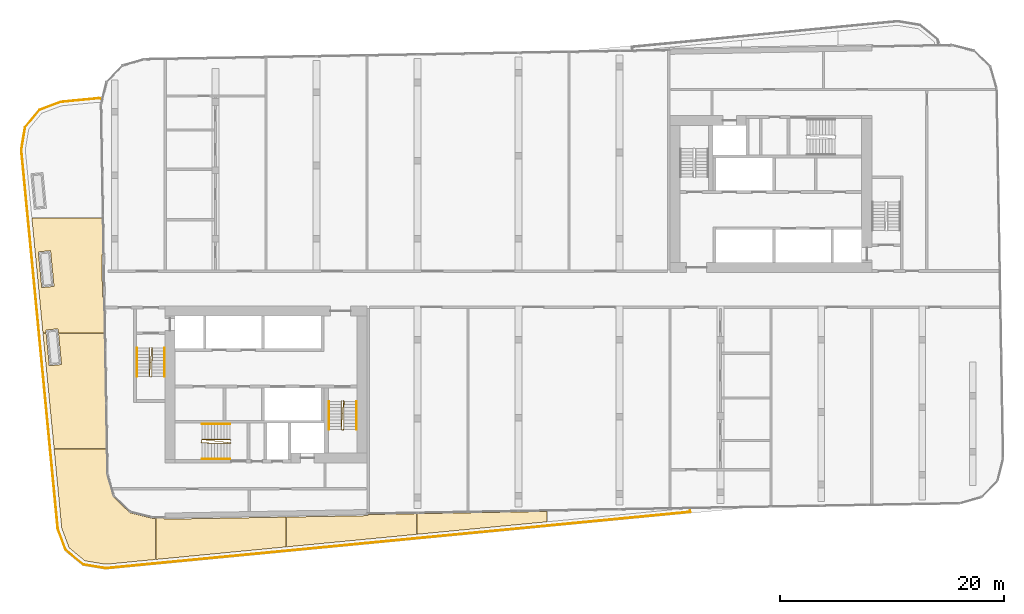
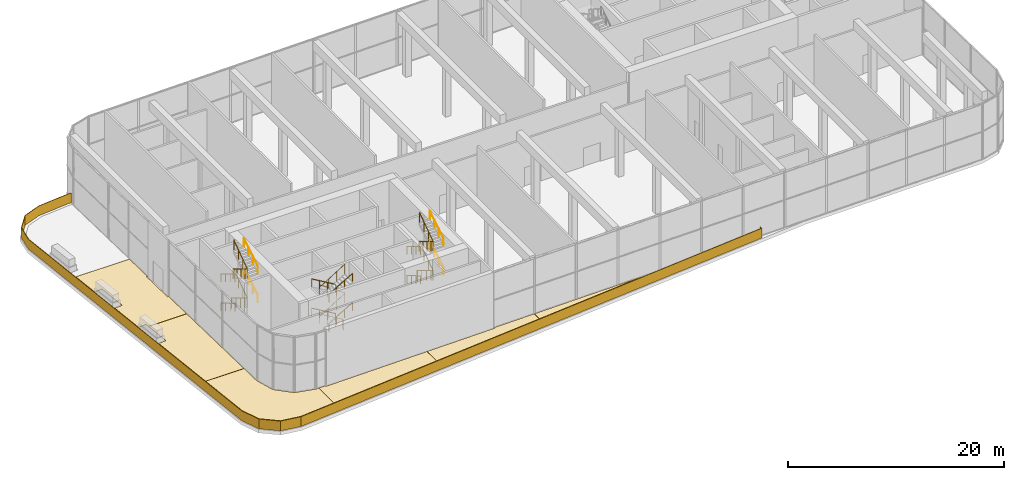
# One storey, part 22 of 24: 17 railings, 6 coverings.
"""IFC4 building model written with IfcOpenShell, lengths in metres."""

from ifc_helpers import new_model, si_unit, direction, frame, origin, origin_2d, place, context, subcontext, project, spatial, polyline, circle, outline, extrude, material, layer, layer_set, type_object, element, save


model = new_model("IFC4")

# Units and contexts
model_context = context("Model", 3, precision=1e-05, world=origin(), true_north=direction((0.0, 1.0)))
body_context = subcontext(model_context, "Body", "Model", "MODEL_VIEW")
ifc_project = project(units=[si_unit("LENGTHUNIT", "METRE"), si_unit("AREAUNIT", "SQUARE_METRE"), si_unit("VOLUMEUNIT", "CUBIC_METRE"), si_unit("PLANEANGLEUNIT", "RADIAN"), si_unit("MASSUNIT", "GRAM", prefix="KILO")], contexts=[model_context])

# Site, building, storey
site_placement = place(None, origin())
site = spatial("IfcSite", under=ifc_project, at=site_placement, CompositionType="ELEMENT")
building_placement = place(site_placement, origin())
building = spatial("IfcBuilding", under=site, at=building_placement, Name="Kajstack Hotel Tower", CompositionType="ELEMENT")
storey_placement = place(building_placement, frame((0.0, 0.0, 211.10009765625)))
storey = spatial("IfcBuildingStorey", under=building, at=storey_placement, Name="L51", CompositionType="ELEMENT", Elevation=211.10009765625)

# Railings
ifc_material_1 = material(Name="Steel S355J2", Category="steel")
railing_type_1 = type_object("IfcRailingType", Name="BALUSTRADE-TERRACE", PredefinedType="BALUSTRADE", material=ifc_material_1)
railing_1_placement = place(storey_placement, frame((-36.810302734375, -24.87646484375, 0.0)))
element("IfcRailing", 1, at=railing_1_placement, inside=storey, type_object=railing_type_1, Name="Terrace guard L51-01-01", PredefinedType="BALUSTRADE", context=body_context, shape_type="SweptSolid", body=[
    extrude(outline(polyline([(-2.008056640625, 0.305419921875), (-3.568359375, 1.591796875), (-4.281005859375, 3.49755859375), (-7.537353515625, 37.3173828125), (-7.20166015625, 39.32421875), (-5.915283203125, 40.884765625), (-4.009521484375, 41.59716796875), (-0.61865234375, 41.92333984375), (-0.3515625, 41.85693359375), (-0.3662109375, 41.798828125), (-0.623046875, 41.86279296875), (-3.995849609375, 41.5380859375), (-5.879150390625, 40.833984375), (-7.14501953125, 39.29833984375), (-7.476806640625, 37.3154296875), (-4.221923828125, 3.51123046875), (-3.517578125, 1.6279296875), (-1.982177734375, 0.362060546875), (0.0048828125, 0.029541015625), (-0.0048828125, -0.029541015625), (-2.008056640625, 0.305419921875)])), origin(), (0.0, 0.0, 1.0), 1.10009765625),
])
railing_2_placement = place(storey_placement, frame((15.30078125, -19.58837890625, 0.0)))
element("IfcRailing", 2, at=railing_2_placement, inside=storey, type_object=railing_type_1, Name="Terrace guard L51-01-02", PredefinedType="BALUSTRADE", context=body_context, shape_type="SweptSolid", body=[
    extrude(outline(polyline([(0.03515625, -0.29736328125), (-52.108154296875, -5.31787109375), (-52.114013671875, -5.25830078125), (-0.02587890625, -0.24267578125), (-0.030029296875, -0.00048828125), (0.030029296875, 0.00048828125), (0.03515625, -0.29736328125)])), origin(), (0.0, 0.0, 1.0), 1.10009765625),
])

# Coverings
ifc_material_2 = material(Name="Timber larch", Category="wood")
ifc_layer = layer(ifc_material_2, 0.050048828125)
ifc_layer_set = layer_set([ifc_layer], Name="DECK-LARCH")
covering_type = type_object("IfcCoveringType", Name="DECK-LARCH", PredefinedType="FLOORING", material=ifc_layer_set)
covering_1_placement = place(storey_placement, origin())
element("IfcCovering", 3, at=covering_1_placement, inside=storey, type_object=covering_type, Name="Larch decking L51-01-01", PredefinedType="FLOORING", context=body_context, shape_type="SweptSolid", body=[
    extrude(outline(polyline([(-36.745361328125, -14.237060546875), (-41.39697265625, -14.237060546875), (-40.7177734375, -21.292724609375), (-40.058349609375, -23.056396484375), (-38.655029296875, -24.213134765625), (-36.85791015625, -24.513671875), (-36.6943359375, -24.513671875), (-32.343994140625, -24.0947265625), (-32.343994140625, -20.420166015625), (-32.63671875, -20.42529296875), (-34.64599609375, -19.92431640625), (-36.13525390625, -18.486083984375), (-36.7060546875, -16.49560546875), (-36.745361328125, -14.237060546875)])), origin(), (0.0, 0.0, 1.0), 0.0498046875),
])
covering_2_placement = place(storey_placement, origin())
element("IfcCovering", 4, at=covering_2_placement, inside=storey, type_object=covering_type, Name="Larch decking L51-01-02", PredefinedType="FLOORING", context=body_context, shape_type="SweptSolid", body=[
    extrude(outline(polyline([(-36.92529296875, -3.940673828125), (-41.002197265625, -3.940673828125), (-40.734619140625, -6.718017578125), (-41.82958984375, -6.823486328125), (-42.107177734375, -3.940673828125), (-42.388427734375, -3.940673828125), (-41.39892578125, -14.217041015625), (-36.745849609375, -14.217041015625), (-36.92529296875, -3.940673828125)])), origin(), (0.0, 0.0, 1.0), 0.0498046875),
])
covering_3_placement = place(storey_placement, origin())
element("IfcCovering", 5, at=covering_3_placement, inside=storey, type_object=covering_type, Name="Larch decking L51-01-03", PredefinedType="FLOORING", context=body_context, shape_type="SweptSolid", body=[
    extrude(outline(polyline([(-37.048095703125, 3.099609375), (-37.10498046875, 6.35595703125), (-43.3798828125, 6.35595703125), (-42.390380859375, -3.920654296875), (-42.109130859375, -3.920654296875), (-42.13623046875, -3.63818359375), (-41.04150390625, -3.53271484375), (-41.004150390625, -3.920654296875), (-36.925537109375, -3.920654296875), (-36.981689453125, -0.69970703125), (-37.08154296875, -0.701416015625), (-37.14794921875, 3.097900390625), (-37.048095703125, 3.099609375)]), holes=[polyline([(-42.80712890625, 3.32958984375), (-41.71240234375, 3.43505859375), (-41.405517578125, 0.25), (-42.50048828125, 0.14453125), (-42.80712890625, 3.32958984375)])]), origin(), (0.0, 0.0, 1.0), 0.0498046875),
])
covering_4_placement = place(storey_placement, origin())
element("IfcCovering", 6, at=covering_4_placement, inside=storey, type_object=covering_type, Name="Larch decking L51-01-05", PredefinedType="FLOORING", context=body_context, shape_type="SweptSolid", body=[
    extrude(outline(polyline([(-32.323974609375, -20.419921875), (-32.323974609375, -24.093017578125), (-20.713623046875, -22.974853515625), (-20.713623046875, -20.317138671875), (-31.59814453125, -20.507080078125), (-31.599853515625, -20.4072265625), (-32.323974609375, -20.419921875)])), origin(), (0.0, 0.0, 1.0), 0.0498046875),
])
covering_5_placement = place(storey_placement, origin())
element("IfcCovering", 7, at=covering_5_placement, inside=storey, type_object=covering_type, Name="Larch decking L51-01-06", PredefinedType="FLOORING", context=body_context, shape_type="SweptSolid", body=[
    extrude(outline(polyline([(-20.693603515625, -20.316650390625), (-20.693603515625, -22.97314453125), (-9.083251953125, -21.85498046875), (-9.083251953125, -20.01416015625), (-13.400146484375, -20.089599609375), (-13.398193359375, -20.189453125), (-20.693603515625, -20.316650390625)])), origin(), (0.0, 0.0, 1.0), 0.0498046875),
])
covering_6_placement = place(storey_placement, origin())
element("IfcCovering", 8, at=covering_6_placement, inside=storey, type_object=covering_type, Name="Larch decking L51-01-07", PredefinedType="FLOORING", context=body_context, shape_type="SweptSolid", body=[
    extrude(outline(polyline([(-9.063232421875, -20.013916015625), (-9.063232421875, -21.853271484375), (2.54736328125, -20.7353515625), (2.54736328125, -19.811279296875), (-9.063232421875, -20.013916015625)])), origin(), (0.0, 0.0, 1.0), 0.0498046875),
])

# Railings
railing_type_2 = type_object("IfcRailingType", Name="Stair guard 1100", PredefinedType="GUARDRAIL", material=ifc_material_1)
railing_3_placement = place(storey_placement, frame((-32.85009765625, -5.199951171875, 0.0)))
element("IfcRailing", 9, at=railing_3_placement, inside=storey, type_object=railing_type_2, Name="L51 W1 stair guard 1", PredefinedType="GUARDRAIL", context=body_context, shape_type="SweptSolid", body=[
    extrude(circle(Radius=0.02392578125, at=origin_2d()), frame((0.0, 0.0, 1.076171875), z_axis=(-0.277797701265, -0.279159454702, 0.919183570361), x_axis=(0.708833529934, -0.705375805398, 0.0)), (0.0, 0.0, 1.0), 0.17919921875),
    extrude(circle(Radius=0.02392578125, at=origin_2d()), frame((-0.0498046875, -0.050048828125, 1.24072265625), z_axis=(0.0, -0.86152411907, 0.507716645641), x_axis=(1.0, 0.0, 0.0)), (0.0, 0.0, 1.0), 2.925048828125),
    extrude(circle(Radius=0.02392578125, at=origin_2d()), frame((-0.0498046875, -2.570068359375, 2.72607421875), z_axis=(0.970072785993, -0.242814311512, 0.0), x_axis=(0.242814311512, 0.970072785993, 0.0)), (0.0, 0.0, 1.0), 0.2060546875),
    extrude(circle(Radius=0.02392578125, at=origin_2d()), frame((0.150146484375, -2.6201171875, 2.72607421875), z_axis=(0.016385308676, 0.841405582595, 0.540155687962), x_axis=(-0.999810440751, 0.019470042781, 0.0)), (0.0, 0.0, 1.0), 3.054443359375),
    extrude(circle(Radius=0.02392578125, at=origin_2d()), frame((0.2001953125, -0.050048828125, 4.3759765625), z_axis=(-0.707106781187, 0.707106781187, 0.0), x_axis=(-0.707106781187, -0.707106781187, 0.0)), (0.0, 0.0, 1.0), 0.07080078125),
    extrude(circle(Radius=0.02392578125, at=origin_2d()), frame((0.150146484375, 0.0, 4.3759765625), z_axis=(-0.065327422454, -0.839684708398, 0.53913070619), x_axis=(0.996987254287, -0.077565551559, 0.0)), (0.0, 0.0, 1.0), 3.060791015625),
    extrude(circle(Radius=0.02392578125, at=origin_2d()), frame((-0.0498046875, -2.570068359375, 6.02587890625), z_axis=(0.970072785993, -0.242814311512, 0.0), x_axis=(0.242814311512, 0.970072785993, 0.0)), (0.0, 0.0, 1.0), 0.2060546875),
    extrude(circle(Radius=0.02392578125, at=origin_2d()), frame((0.150146484375, -2.6201171875, 6.02587890625), z_axis=(0.016385308676, 0.841405582595, 0.540155687962), x_axis=(-0.999810440751, 0.019470042781, 0.0)), (0.0, 0.0, 1.0), 3.054443359375),
    extrude(circle(Radius=0.02099609375, at=origin_2d()), origin(), (0.0, 0.0, 1.0), 1.052001953125),
    extrude(circle(Radius=0.02099609375, at=origin_2d()), frame((-0.0498046875, -0.050048828125, 0.164794921875)), (0.0, 0.0, 1.0), 1.052001953125),
    extrude(circle(Radius=0.02099609375, at=origin_2d()), frame((-0.0498046875, -0.89013671875, 0.659912109375)), (0.0, 0.0, 1.0), 1.052001953125),
    extrude(circle(Radius=0.02099609375, at=origin_2d()), frame((-0.0498046875, -1.72998046875, 1.15478515625)), (0.0, 0.0, 1.0), 1.052001953125),
    extrude(circle(Radius=0.02099609375, at=origin_2d()), frame((-0.0498046875, -2.570068359375, 1.64990234375)), (0.0, 0.0, 1.0), 1.052001953125),
    extrude(circle(Radius=0.02099609375, at=origin_2d()), frame((0.150146484375, -2.6201171875, 1.64990234375)), (0.0, 0.0, 1.0), 1.052001953125),
    extrude(circle(Radius=0.02099609375, at=origin_2d()), frame((0.166748046875, -1.763427734375, 2.199951171875)), (0.0, 0.0, 1.0), 1.052001953125),
    extrude(circle(Radius=0.02099609375, at=origin_2d()), frame((0.18359375, -0.90673828125, 2.749755859375)), (0.0, 0.0, 1.0), 1.052001953125),
    extrude(circle(Radius=0.02099609375, at=origin_2d()), frame((0.2001953125, -0.050048828125, 3.2998046875)), (0.0, 0.0, 1.0), 1.052001953125),
    extrude(circle(Radius=0.02099609375, at=origin_2d()), frame((0.150146484375, 0.0, 3.2998046875)), (0.0, 0.0, 1.0), 1.052001953125),
    extrude(circle(Radius=0.02099609375, at=origin_2d()), frame((0.08349609375, -0.856689453125, 3.849853515625)), (0.0, 0.0, 1.0), 1.052001953125),
    extrude(circle(Radius=0.02099609375, at=origin_2d()), frame((0.016845703125, -1.71337890625, 4.39990234375)), (0.0, 0.0, 1.0), 1.052001953125),
    extrude(circle(Radius=0.02099609375, at=origin_2d()), frame((-0.0498046875, -2.570068359375, 4.949951171875)), (0.0, 0.0, 1.0), 1.052001953125),
    extrude(circle(Radius=0.02099609375, at=origin_2d()), frame((0.150146484375, -2.6201171875, 4.949951171875)), (0.0, 0.0, 1.0), 1.052001953125),
    extrude(circle(Radius=0.02099609375, at=origin_2d()), frame((0.166748046875, -1.763427734375, 5.5)), (0.0, 0.0, 1.0), 1.052001953125),
    extrude(circle(Radius=0.02099609375, at=origin_2d()), frame((0.18359375, -0.90673828125, 6.0498046875)), (0.0, 0.0, 1.0), 1.052001953125),
    extrude(circle(Radius=0.02099609375, at=origin_2d()), frame((0.2001953125, -0.050048828125, 6.599853515625)), (0.0, 0.0, 1.0), 1.052001953125),
])
railing_4_placement = place(storey_placement, frame((-15.75, -9.949951171875, 0.0)))
element("IfcRailing", 10, at=railing_4_placement, inside=storey, type_object=railing_type_2, Name="L51 W2 stair guard 1", PredefinedType="GUARDRAIL", context=body_context, shape_type="SweptSolid", body=[
    extrude(circle(Radius=0.02392578125, at=origin_2d()), frame((0.0, 0.0, 1.076171875), z_axis=(-0.279053652268, -0.279053652268, 0.918835196492), x_axis=(0.707106781187, -0.707106781187, 0.0)), (0.0, 0.0, 1.0), 0.179443359375),
    extrude(circle(Radius=0.02392578125, at=origin_2d()), frame((-0.050048828125, -0.050048828125, 1.24072265625), z_axis=(0.0, -0.86152411907, 0.507716645641), x_axis=(1.0, 0.0, 0.0)), (0.0, 0.0, 1.0), 2.925048828125),
    extrude(circle(Radius=0.02392578125, at=origin_2d()), frame((-0.050048828125, -2.570068359375, 2.72607421875), z_axis=(0.970072785993, -0.242814311512, 0.0), x_axis=(0.242814311512, 0.970072785993, 0.0)), (0.0, 0.0, 1.0), 0.2060546875),
    extrude(circle(Radius=0.02392578125, at=origin_2d()), frame((0.14990234375, -2.6201171875, 2.72607421875), z_axis=(0.016385308676, 0.841405582595, 0.540155687962), x_axis=(-0.999810440751, 0.019470042781, 0.0)), (0.0, 0.0, 1.0), 3.054443359375),
    extrude(circle(Radius=0.02392578125, at=origin_2d()), frame((0.199951171875, -0.050048828125, 4.3759765625), z_axis=(-0.707106781187, 0.707106781187, 0.0), x_axis=(-0.707106781187, -0.707106781187, 0.0)), (0.0, 0.0, 1.0), 0.07080078125),
    extrude(circle(Radius=0.02392578125, at=origin_2d()), frame((0.14990234375, 0.0, 4.3759765625), z_axis=(-0.065327422454, -0.839684708398, 0.53913070619), x_axis=(0.996987254287, -0.077565551559, 0.0)), (0.0, 0.0, 1.0), 3.060791015625),
    extrude(circle(Radius=0.02392578125, at=origin_2d()), frame((-0.050048828125, -2.570068359375, 6.02587890625), z_axis=(0.970072785993, -0.242814311512, 0.0), x_axis=(0.242814311512, 0.970072785993, 0.0)), (0.0, 0.0, 1.0), 0.2060546875),
    extrude(circle(Radius=0.02392578125, at=origin_2d()), frame((0.14990234375, -2.6201171875, 6.02587890625), z_axis=(0.016385308676, 0.841405582595, 0.540155687962), x_axis=(-0.999810440751, 0.019470042781, 0.0)), (0.0, 0.0, 1.0), 3.054443359375),
    extrude(circle(Radius=0.02099609375, at=origin_2d()), origin(), (0.0, 0.0, 1.0), 1.052001953125),
    extrude(circle(Radius=0.02099609375, at=origin_2d()), frame((-0.050048828125, -0.050048828125, 0.164794921875)), (0.0, 0.0, 1.0), 1.052001953125),
    extrude(circle(Radius=0.02099609375, at=origin_2d()), frame((-0.050048828125, -0.89013671875, 0.659912109375)), (0.0, 0.0, 1.0), 1.052001953125),
    extrude(circle(Radius=0.02099609375, at=origin_2d()), frame((-0.050048828125, -1.72998046875, 1.15478515625)), (0.0, 0.0, 1.0), 1.052001953125),
    extrude(circle(Radius=0.02099609375, at=origin_2d()), frame((-0.050048828125, -2.570068359375, 1.64990234375)), (0.0, 0.0, 1.0), 1.052001953125),
    extrude(circle(Radius=0.02099609375, at=origin_2d()), frame((0.14990234375, -2.6201171875, 1.64990234375)), (0.0, 0.0, 1.0), 1.052001953125),
    extrude(circle(Radius=0.02099609375, at=origin_2d()), frame((0.16650390625, -1.763427734375, 2.199951171875)), (0.0, 0.0, 1.0), 1.052001953125),
    extrude(circle(Radius=0.02099609375, at=origin_2d()), frame((0.183349609375, -0.90673828125, 2.749755859375)), (0.0, 0.0, 1.0), 1.052001953125),
    extrude(circle(Radius=0.02099609375, at=origin_2d()), frame((0.199951171875, -0.050048828125, 3.2998046875)), (0.0, 0.0, 1.0), 1.052001953125),
    extrude(circle(Radius=0.02099609375, at=origin_2d()), frame((0.14990234375, 0.0, 3.2998046875)), (0.0, 0.0, 1.0), 1.052001953125),
    extrude(circle(Radius=0.02099609375, at=origin_2d()), frame((0.083251953125, -0.856689453125, 3.849853515625)), (0.0, 0.0, 1.0), 1.052001953125),
    extrude(circle(Radius=0.02099609375, at=origin_2d()), frame((0.0166015625, -1.71337890625, 4.39990234375)), (0.0, 0.0, 1.0), 1.052001953125),
    extrude(circle(Radius=0.02099609375, at=origin_2d()), frame((-0.050048828125, -2.570068359375, 4.949951171875)), (0.0, 0.0, 1.0), 1.052001953125),
    extrude(circle(Radius=0.02099609375, at=origin_2d()), frame((0.14990234375, -2.6201171875, 4.949951171875)), (0.0, 0.0, 1.0), 1.052001953125),
    extrude(circle(Radius=0.02099609375, at=origin_2d()), frame((0.16650390625, -1.763427734375, 5.5)), (0.0, 0.0, 1.0), 1.052001953125),
    extrude(circle(Radius=0.02099609375, at=origin_2d()), frame((0.183349609375, -0.90673828125, 6.0498046875)), (0.0, 0.0, 1.0), 1.052001953125),
    extrude(circle(Radius=0.02099609375, at=origin_2d()), frame((0.199951171875, -0.050048828125, 6.599853515625)), (0.0, 0.0, 1.0), 1.052001953125),
])
railing_5_placement = place(storey_placement, frame((-25.64990234375, -13.449951171875, 0.0)))
element("IfcRailing", 11, at=railing_5_placement, inside=storey, type_object=railing_type_2, Name="L51 W3 stair guard 1", PredefinedType="GUARDRAIL", context=body_context, shape_type="SweptSolid", body=[
    extrude(circle(Radius=0.02392578125, at=origin_2d()), frame((0.0, 0.0, 1.076171875), z_axis=(-0.279053652268, 0.279053652268, 0.918835196492), x_axis=(-0.707106781187, -0.707106781187, 0.0)), (0.0, 0.0, 1.0), 0.179443359375),
    extrude(circle(Radius=0.02392578125, at=origin_2d()), frame((-0.050048828125, 0.050048828125, 1.24072265625), z_axis=(-0.86152411907, 0.0, 0.507716645641), x_axis=(0.0, -1.0, 0.0)), (0.0, 0.0, 1.0), 2.925048828125),
    extrude(circle(Radius=0.02392578125, at=origin_2d()), frame((-2.570068359375, 0.050048828125, 2.72607421875), z_axis=(-0.164529134168, -0.986372223864, 0.0), x_axis=(0.986372223864, -0.164529134168, 0.0)), (0.0, 0.0, 1.0), 0.30419921875),
    extrude(circle(Radius=0.02392578125, at=origin_2d()), frame((-2.6201171875, -0.25, 2.72607421875), z_axis=(0.841405582595, -0.016385308676, 0.540155687962), x_axis=(0.019470042781, 0.999810440751, 0.0)), (0.0, 0.0, 1.0), 3.054443359375),
    extrude(circle(Radius=0.02392578125, at=origin_2d()), frame((-0.050048828125, -0.300048828125, 4.3759765625), z_axis=(0.707106781187, 0.707106781187, 0.0), x_axis=(-0.707106781187, 0.707106781187, 0.0)), (0.0, 0.0, 1.0), 0.07080078125),
    extrude(circle(Radius=0.02392578125, at=origin_2d()), frame((0.0, -0.25, 4.3759765625), z_axis=(-0.837450686566, 0.097770199847, 0.537696322837), x_axis=(-0.115959822279, -0.993253904909, 0.0)), (0.0, 0.0, 1.0), 3.06884765625),
    extrude(circle(Radius=0.02392578125, at=origin_2d()), frame((-2.570068359375, 0.050048828125, 6.02587890625), z_axis=(-0.164529134168, -0.986372223864, 0.0), x_axis=(0.986372223864, -0.164529134168, 0.0)), (0.0, 0.0, 1.0), 0.30419921875),
    extrude(circle(Radius=0.02392578125, at=origin_2d()), frame((-2.6201171875, -0.25, 6.02587890625), z_axis=(0.841405582595, -0.016385308676, 0.540155687962), x_axis=(0.019470042781, 0.999810440751, 0.0)), (0.0, 0.0, 1.0), 3.054443359375),
    extrude(circle(Radius=0.02099609375, at=origin_2d()), origin(), (0.0, 0.0, 1.0), 1.052001953125),
    extrude(circle(Radius=0.02099609375, at=origin_2d()), frame((-0.050048828125, 0.050048828125, 0.164794921875)), (0.0, 0.0, 1.0), 1.052001953125),
    extrude(circle(Radius=0.02099609375, at=origin_2d()), frame((-0.89013671875, 0.050048828125, 0.659912109375)), (0.0, 0.0, 1.0), 1.052001953125),
    extrude(circle(Radius=0.02099609375, at=origin_2d()), frame((-1.72998046875, 0.050048828125, 1.15478515625)), (0.0, 0.0, 1.0), 1.052001953125),
    extrude(circle(Radius=0.02099609375, at=origin_2d()), frame((-2.570068359375, 0.050048828125, 1.64990234375)), (0.0, 0.0, 1.0), 1.052001953125),
    extrude(circle(Radius=0.02099609375, at=origin_2d()), frame((-2.6201171875, -0.25, 1.64990234375)), (0.0, 0.0, 1.0), 1.052001953125),
    extrude(circle(Radius=0.02099609375, at=origin_2d()), frame((-1.763427734375, -0.2666015625, 2.199951171875)), (0.0, 0.0, 1.0), 1.052001953125),
    extrude(circle(Radius=0.02099609375, at=origin_2d()), frame((-0.90673828125, -0.283447265625, 2.749755859375)), (0.0, 0.0, 1.0), 1.052001953125),
    extrude(circle(Radius=0.02099609375, at=origin_2d()), frame((-0.050048828125, -0.300048828125, 3.2998046875)), (0.0, 0.0, 1.0), 1.052001953125),
    extrude(circle(Radius=0.02099609375, at=origin_2d()), frame((0.0, -0.25, 3.2998046875)), (0.0, 0.0, 1.0), 1.052001953125),
    extrude(circle(Radius=0.02099609375, at=origin_2d()), frame((-0.856689453125, -0.14990234375, 3.849853515625)), (0.0, 0.0, 1.0), 1.052001953125),
    extrude(circle(Radius=0.02099609375, at=origin_2d()), frame((-1.71337890625, -0.050048828125, 4.39990234375)), (0.0, 0.0, 1.0), 1.052001953125),
    extrude(circle(Radius=0.02099609375, at=origin_2d()), frame((-2.570068359375, 0.050048828125, 4.949951171875)), (0.0, 0.0, 1.0), 1.052001953125),
    extrude(circle(Radius=0.02099609375, at=origin_2d()), frame((-2.6201171875, -0.25, 4.949951171875)), (0.0, 0.0, 1.0), 1.052001953125),
    extrude(circle(Radius=0.02099609375, at=origin_2d()), frame((-1.763427734375, -0.2666015625, 5.5)), (0.0, 0.0, 1.0), 1.052001953125),
    extrude(circle(Radius=0.02099609375, at=origin_2d()), frame((-0.90673828125, -0.283447265625, 6.0498046875)), (0.0, 0.0, 1.0), 1.052001953125),
    extrude(circle(Radius=0.02099609375, at=origin_2d()), frame((-0.050048828125, -0.300048828125, 6.599853515625)), (0.0, 0.0, 1.0), 1.052001953125),
])
railing_type_3 = type_object("IfcRailingType", Name="Stair handrail 900", PredefinedType="HANDRAIL", material=ifc_material_1)
railing_6_placement = place(storey_placement, frame((-34.0, -5.25, 0.164794921875)))
element("IfcRailing", 12, at=railing_6_placement, inside=storey, type_object=railing_type_3, Name="L51 W1 stair handrail 1", PredefinedType="HANDRAIL", context=body_context, shape_type="SweptSolid", body=[
    extrude(circle(Radius=0.02392578125, at=origin_2d()), frame((0.0, 0.0, 0.8759765625), z_axis=(0.0, -0.86152411907, 0.507716645641), x_axis=(1.0, 0.0, 0.0)), (0.0, 0.0, 1.0), 2.925048828125),
    extrude(circle(Radius=0.02099609375, at=origin_2d()), origin(), (0.0, 0.0, 1.0), 0.851806640625),
    extrude(circle(Radius=0.02099609375, at=origin_2d()), frame((0.0, -0.840087890625, 0.4951171875)), (0.0, 0.0, 1.0), 0.851806640625),
    extrude(circle(Radius=0.02099609375, at=origin_2d()), frame((0.0, -1.679931640625, 0.989990234375)), (0.0, 0.0, 1.0), 0.851806640625),
    extrude(circle(Radius=0.02099609375, at=origin_2d()), frame((0.0, -2.52001953125, 1.485107421875)), (0.0, 0.0, 1.0), 0.851806640625),
])
railing_7_placement = place(storey_placement, frame((-31.550048828125, -7.77001953125, 1.81494140625)))
element("IfcRailing", 13, at=railing_7_placement, inside=storey, type_object=railing_type_3, Name="L51 W1 stair handrail 2", PredefinedType="HANDRAIL", context=body_context, shape_type="SweptSolid", body=[
    extrude(circle(Radius=0.02392578125, at=origin_2d()), frame((0.0, 0.0, 0.8759765625), z_axis=(0.0, 0.861560626758, 0.507654692109), x_axis=(-1.0, 0.0, 0.0)), (0.0, 0.0, 1.0), 2.925048828125),
    extrude(circle(Radius=0.02099609375, at=origin_2d()), origin(), (0.0, 0.0, 1.0), 0.851806640625),
    extrude(circle(Radius=0.02099609375, at=origin_2d()), frame((0.0, 0.840087890625, 0.494873046875)), (0.0, 0.0, 1.0), 0.851806640625),
    extrude(circle(Radius=0.02099609375, at=origin_2d()), frame((0.0, 1.679931640625, 0.989990234375)), (0.0, 0.0, 1.0), 0.851806640625),
    extrude(circle(Radius=0.02099609375, at=origin_2d()), frame((0.0, 2.52001953125, 1.48486328125)), (0.0, 0.0, 1.0), 0.851806640625),
])
railing_8_placement = place(storey_placement, frame((-34.0, -5.25, 3.46484375)))
element("IfcRailing", 14, at=railing_8_placement, inside=storey, type_object=railing_type_3, Name="L51 W1 stair handrail 3", PredefinedType="HANDRAIL", context=body_context, shape_type="SweptSolid", body=[
    extrude(circle(Radius=0.02392578125, at=origin_2d()), frame((0.0, 0.0, 0.8759765625), z_axis=(0.0, -0.86152411907, 0.507716645641), x_axis=(1.0, 0.0, 0.0)), (0.0, 0.0, 1.0), 2.925048828125),
    extrude(circle(Radius=0.02099609375, at=origin_2d()), origin(), (0.0, 0.0, 1.0), 0.851806640625),
    extrude(circle(Radius=0.02099609375, at=origin_2d()), frame((0.0, -0.840087890625, 0.4951171875)), (0.0, 0.0, 1.0), 0.851806640625),
    extrude(circle(Radius=0.02099609375, at=origin_2d()), frame((0.0, -1.679931640625, 0.989990234375)), (0.0, 0.0, 1.0), 0.851806640625),
    extrude(circle(Radius=0.02099609375, at=origin_2d()), frame((0.0, -2.52001953125, 1.485107421875)), (0.0, 0.0, 1.0), 0.851806640625),
])
railing_9_placement = place(storey_placement, frame((-31.550048828125, -7.77001953125, 5.114990234375)))
element("IfcRailing", 15, at=railing_9_placement, inside=storey, type_object=railing_type_3, Name="L51 W1 stair handrail 4", PredefinedType="HANDRAIL", context=body_context, shape_type="SweptSolid", body=[
    extrude(circle(Radius=0.02392578125, at=origin_2d()), frame((0.0, 0.0, 0.8759765625), z_axis=(0.0, 0.861560626758, 0.507654692109), x_axis=(-1.0, 0.0, 0.0)), (0.0, 0.0, 1.0), 2.925048828125),
    extrude(circle(Radius=0.02099609375, at=origin_2d()), origin(), (0.0, 0.0, 1.0), 0.851806640625),
    extrude(circle(Radius=0.02099609375, at=origin_2d()), frame((0.0, 0.840087890625, 0.494873046875)), (0.0, 0.0, 1.0), 0.851806640625),
    extrude(circle(Radius=0.02099609375, at=origin_2d()), frame((0.0, 1.679931640625, 0.989990234375)), (0.0, 0.0, 1.0), 0.851806640625),
    extrude(circle(Radius=0.02099609375, at=origin_2d()), frame((0.0, 2.52001953125, 1.48486328125)), (0.0, 0.0, 1.0), 0.851806640625),
])
railing_10_placement = place(storey_placement, frame((-16.89990234375, -10.0, 0.164794921875)))
element("IfcRailing", 16, at=railing_10_placement, inside=storey, type_object=railing_type_3, Name="L51 W2 stair handrail 1", PredefinedType="HANDRAIL", context=body_context, shape_type="SweptSolid", body=[
    extrude(circle(Radius=0.02392578125, at=origin_2d()), frame((0.0, 0.0, 0.8759765625), z_axis=(0.0, -0.86152411907, 0.507716645641), x_axis=(1.0, 0.0, 0.0)), (0.0, 0.0, 1.0), 2.925048828125),
    extrude(circle(Radius=0.02099609375, at=origin_2d()), origin(), (0.0, 0.0, 1.0), 0.851806640625),
    extrude(circle(Radius=0.02099609375, at=origin_2d()), frame((0.0, -0.840087890625, 0.4951171875)), (0.0, 0.0, 1.0), 0.851806640625),
    extrude(circle(Radius=0.02099609375, at=origin_2d()), frame((0.0, -1.679931640625, 0.989990234375)), (0.0, 0.0, 1.0), 0.851806640625),
    extrude(circle(Radius=0.02099609375, at=origin_2d()), frame((0.0, -2.52001953125, 1.485107421875)), (0.0, 0.0, 1.0), 0.851806640625),
])
railing_11_placement = place(storey_placement, frame((-14.449951171875, -12.52001953125, 1.81494140625)))
element("IfcRailing", 17, at=railing_11_placement, inside=storey, type_object=railing_type_3, Name="L51 W2 stair handrail 2", PredefinedType="HANDRAIL", context=body_context, shape_type="SweptSolid", body=[
    extrude(circle(Radius=0.02392578125, at=origin_2d()), frame((0.0, 0.0, 0.8759765625), z_axis=(0.0, 0.861560626758, 0.507654692109), x_axis=(-1.0, 0.0, 0.0)), (0.0, 0.0, 1.0), 2.925048828125),
    extrude(circle(Radius=0.02099609375, at=origin_2d()), origin(), (0.0, 0.0, 1.0), 0.851806640625),
    extrude(circle(Radius=0.02099609375, at=origin_2d()), frame((0.0, 0.840087890625, 0.494873046875)), (0.0, 0.0, 1.0), 0.851806640625),
    extrude(circle(Radius=0.02099609375, at=origin_2d()), frame((0.0, 1.679931640625, 0.989990234375)), (0.0, 0.0, 1.0), 0.851806640625),
    extrude(circle(Radius=0.02099609375, at=origin_2d()), frame((0.0, 2.52001953125, 1.48486328125)), (0.0, 0.0, 1.0), 0.851806640625),
])
railing_12_placement = place(storey_placement, frame((-16.89990234375, -10.0, 3.46484375)))
element("IfcRailing", 18, at=railing_12_placement, inside=storey, type_object=railing_type_3, Name="L51 W2 stair handrail 3", PredefinedType="HANDRAIL", context=body_context, shape_type="SweptSolid", body=[
    extrude(circle(Radius=0.02392578125, at=origin_2d()), frame((0.0, 0.0, 0.8759765625), z_axis=(0.0, -0.86152411907, 0.507716645641), x_axis=(1.0, 0.0, 0.0)), (0.0, 0.0, 1.0), 2.925048828125),
    extrude(circle(Radius=0.02099609375, at=origin_2d()), origin(), (0.0, 0.0, 1.0), 0.851806640625),
    extrude(circle(Radius=0.02099609375, at=origin_2d()), frame((0.0, -0.840087890625, 0.4951171875)), (0.0, 0.0, 1.0), 0.851806640625),
    extrude(circle(Radius=0.02099609375, at=origin_2d()), frame((0.0, -1.679931640625, 0.989990234375)), (0.0, 0.0, 1.0), 0.851806640625),
    extrude(circle(Radius=0.02099609375, at=origin_2d()), frame((0.0, -2.52001953125, 1.485107421875)), (0.0, 0.0, 1.0), 0.851806640625),
])
railing_13_placement = place(storey_placement, frame((-14.449951171875, -12.52001953125, 5.114990234375)))
element("IfcRailing", 19, at=railing_13_placement, inside=storey, type_object=railing_type_3, Name="L51 W2 stair handrail 4", PredefinedType="HANDRAIL", context=body_context, shape_type="SweptSolid", body=[
    extrude(circle(Radius=0.02392578125, at=origin_2d()), frame((0.0, 0.0, 0.8759765625), z_axis=(0.0, 0.861560626758, 0.507654692109), x_axis=(-1.0, 0.0, 0.0)), (0.0, 0.0, 1.0), 2.925048828125),
    extrude(circle(Radius=0.02099609375, at=origin_2d()), origin(), (0.0, 0.0, 1.0), 0.851806640625),
    extrude(circle(Radius=0.02099609375, at=origin_2d()), frame((0.0, 0.840087890625, 0.494873046875)), (0.0, 0.0, 1.0), 0.851806640625),
    extrude(circle(Radius=0.02099609375, at=origin_2d()), frame((0.0, 1.679931640625, 0.989990234375)), (0.0, 0.0, 1.0), 0.851806640625),
    extrude(circle(Radius=0.02099609375, at=origin_2d()), frame((0.0, 2.52001953125, 1.48486328125)), (0.0, 0.0, 1.0), 0.851806640625),
])
railing_14_placement = place(storey_placement, frame((-25.699951171875, -12.0, 0.164794921875)))
element("IfcRailing", 20, at=railing_14_placement, inside=storey, type_object=railing_type_3, Name="L51 W3 stair handrail 1", PredefinedType="HANDRAIL", context=body_context, shape_type="SweptSolid", body=[
    extrude(circle(Radius=0.02392578125, at=origin_2d()), frame((0.0, 0.0, 0.8759765625), z_axis=(-0.86152411907, 0.0, 0.507716645641), x_axis=(0.0, -1.0, 0.0)), (0.0, 0.0, 1.0), 2.925048828125),
    extrude(circle(Radius=0.02099609375, at=origin_2d()), origin(), (0.0, 0.0, 1.0), 0.851806640625),
    extrude(circle(Radius=0.02099609375, at=origin_2d()), frame((-0.840087890625, 0.0, 0.4951171875)), (0.0, 0.0, 1.0), 0.851806640625),
    extrude(circle(Radius=0.02099609375, at=origin_2d()), frame((-1.679931640625, 0.0, 0.989990234375)), (0.0, 0.0, 1.0), 0.851806640625),
    extrude(circle(Radius=0.02099609375, at=origin_2d()), frame((-2.52001953125, 0.0, 1.485107421875)), (0.0, 0.0, 1.0), 0.851806640625),
])
railing_15_placement = place(storey_placement, frame((-28.219970703125, -15.14990234375, 1.81494140625)))
element("IfcRailing", 21, at=railing_15_placement, inside=storey, type_object=railing_type_3, Name="L51 W3 stair handrail 2", PredefinedType="HANDRAIL", context=body_context, shape_type="SweptSolid", body=[
    extrude(circle(Radius=0.02392578125, at=origin_2d()), frame((0.0, 0.0, 0.8759765625), z_axis=(0.861560626758, 0.0, 0.507654692109), x_axis=(0.0, 1.0, 0.0)), (0.0, 0.0, 1.0), 2.925048828125),
    extrude(circle(Radius=0.02099609375, at=origin_2d()), origin(), (0.0, 0.0, 1.0), 0.851806640625),
    extrude(circle(Radius=0.02099609375, at=origin_2d()), frame((0.840087890625, 0.0, 0.494873046875)), (0.0, 0.0, 1.0), 0.851806640625),
    extrude(circle(Radius=0.02099609375, at=origin_2d()), frame((1.679931640625, 0.0, 0.989990234375)), (0.0, 0.0, 1.0), 0.851806640625),
    extrude(circle(Radius=0.02099609375, at=origin_2d()), frame((2.52001953125, 0.0, 1.48486328125)), (0.0, 0.0, 1.0), 0.851806640625),
])
railing_16_placement = place(storey_placement, frame((-25.699951171875, -12.0, 3.46484375)))
element("IfcRailing", 22, at=railing_16_placement, inside=storey, type_object=railing_type_3, Name="L51 W3 stair handrail 3", PredefinedType="HANDRAIL", context=body_context, shape_type="SweptSolid", body=[
    extrude(circle(Radius=0.02392578125, at=origin_2d()), frame((0.0, 0.0, 0.8759765625), z_axis=(-0.86152411907, 0.0, 0.507716645641), x_axis=(0.0, -1.0, 0.0)), (0.0, 0.0, 1.0), 2.925048828125),
    extrude(circle(Radius=0.02099609375, at=origin_2d()), origin(), (0.0, 0.0, 1.0), 0.851806640625),
    extrude(circle(Radius=0.02099609375, at=origin_2d()), frame((-0.840087890625, 0.0, 0.4951171875)), (0.0, 0.0, 1.0), 0.851806640625),
    extrude(circle(Radius=0.02099609375, at=origin_2d()), frame((-1.679931640625, 0.0, 0.989990234375)), (0.0, 0.0, 1.0), 0.851806640625),
    extrude(circle(Radius=0.02099609375, at=origin_2d()), frame((-2.52001953125, 0.0, 1.485107421875)), (0.0, 0.0, 1.0), 0.851806640625),
])
railing_17_placement = place(storey_placement, frame((-28.219970703125, -15.14990234375, 5.114990234375)))
element("IfcRailing", 23, at=railing_17_placement, inside=storey, type_object=railing_type_3, Name="L51 W3 stair handrail 4", PredefinedType="HANDRAIL", context=body_context, shape_type="SweptSolid", body=[
    extrude(circle(Radius=0.02392578125, at=origin_2d()), frame((0.0, 0.0, 0.8759765625), z_axis=(0.861560626758, 0.0, 0.507654692109), x_axis=(0.0, 1.0, 0.0)), (0.0, 0.0, 1.0), 2.925048828125),
    extrude(circle(Radius=0.02099609375, at=origin_2d()), origin(), (0.0, 0.0, 1.0), 0.851806640625),
    extrude(circle(Radius=0.02099609375, at=origin_2d()), frame((0.840087890625, 0.0, 0.494873046875)), (0.0, 0.0, 1.0), 0.851806640625),
    extrude(circle(Radius=0.02099609375, at=origin_2d()), frame((1.679931640625, 0.0, 0.989990234375)), (0.0, 0.0, 1.0), 0.851806640625),
    extrude(circle(Radius=0.02099609375, at=origin_2d()), frame((2.52001953125, 0.0, 1.48486328125)), (0.0, 0.0, 1.0), 0.851806640625),
])

save(model, "model.ifc")
